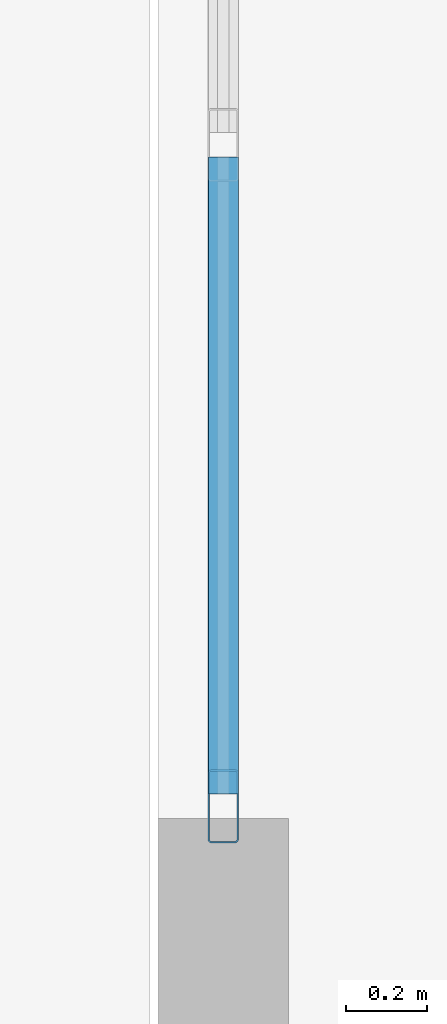
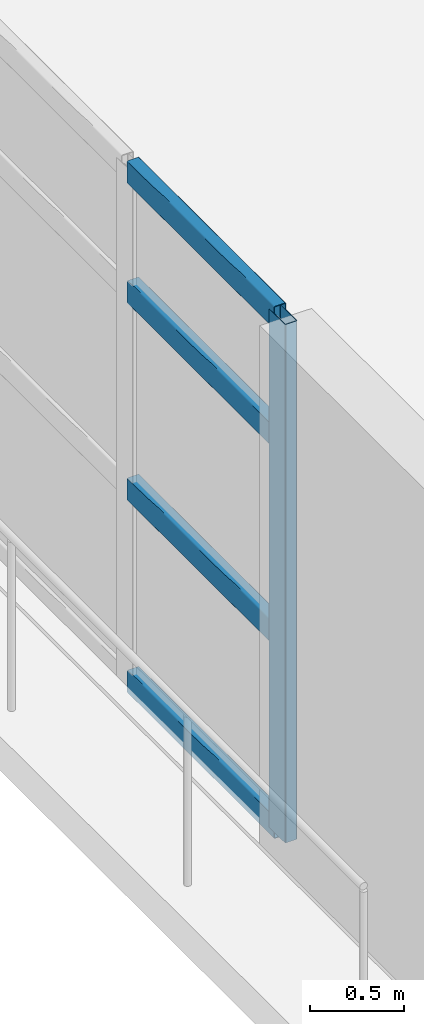
# One storey, part 3 of 24: 5 members, 1 element without a shape of its own.
"""IFC4 building model written with IfcOpenShell, lengths in metres."""

from ifc_helpers import new_model, si_unit, direction, frame, origin, origin_2d, place, context, subcontext, project, spatial, hollow_rectangle, extrude, material, layer, layer_set, material_profile, profile_set, type_object, element, aggregate, save


model = new_model("IFC4")

# Units and contexts
model_context = context("Model", 3, precision=1e-05, world=origin(), true_north=direction((0.0, 1.0)))
body_context = subcontext(model_context, "Body", "Model", "MODEL_VIEW")
ifc_project = project(units=[si_unit("LENGTHUNIT", "METRE"), si_unit("AREAUNIT", "SQUARE_METRE"), si_unit("VOLUMEUNIT", "CUBIC_METRE"), si_unit("PLANEANGLEUNIT", "RADIAN"), si_unit("MASSUNIT", "GRAM", prefix="KILO")], contexts=[model_context])

# Site, building, storey
site_placement = place(None, origin())
site = spatial("IfcSite", under=ifc_project, at=site_placement, CompositionType="ELEMENT")
building_placement = place(site_placement, origin())
building = spatial("IfcBuilding", under=site, at=building_placement, Name="Qingluan Cross Belvedere", CompositionType="ELEMENT")
storey_placement = place(building_placement, frame((0.0, 0.0, 19.199951171875)))
storey = spatial("IfcBuildingStorey", under=building, at=storey_placement, Name="L05", CompositionType="ELEMENT", Elevation=19.199951171875)

# Curtain wall, members
ifc_material_1 = material(Name="Thermally broken aluminium and Low-E glass", Category="aluminium")
ifc_layer = layer(ifc_material_1, 0.179931640625, Name="UnitisedCW_CascadeGarden")
ifc_layer_set = layer_set([ifc_layer], Name="Thermally broken aluminium and Low-E glass")
curtain_wall_type = type_object("IfcCurtainWallType", Name="UnitisedCW_CascadeGarden", PredefinedType="USERDEFINED", material=ifc_layer_set)
curtain_wall_placement = place(storey_placement, origin())
curtain_wall = element("IfcCurtainWall", 1, at=curtain_wall_placement, inside=storey, type_object=curtain_wall_type, Name="UnitisedCW_CascadeGarden run env:cw:L05:W", ObjectType="UNITISED CURTAIN WALL", PredefinedType="USERDEFINED")
ifc_material_2 = material(Name="Aluminium alloy 6063-T6", Category="aluminium")
ifc_material_profile_1 = material_profile(ifc_material_2, hollow_rectangle(XDim=0.074951171875, YDim=0.179931640625, WallThickness=0.00390625, InnerFilletRadius=0.00390625, OuterFilletRadius=0.008056640625, at=origin_2d()), Name="CWM180x75x4")
ifc_profile_set_1 = profile_set([ifc_material_profile_1], Name="Aluminium alloy 6063-T6")
member_type_1 = type_object("IfcMemberType", Name="CWMullion_180", PredefinedType="MULLION", material=ifc_profile_set_1)
member_1_placement = place(storey_placement, frame((-36.239990234375, -5.77001953125, 0.0), z_axis=(0.0, 0.0, 1.0), x_axis=(-1.0, 0.0, 0.0)))
member_1 = element("IfcMember", 2, at=member_1_placement, type_object=member_type_1, Name="CW-P3 mullion 1", PredefinedType="MULLION", context=body_context, shape_type="SweptSolid", body=[
    extrude(hollow_rectangle(XDim=0.074951171875, YDim=0.179931640625, WallThickness=0.00390625, InnerFilletRadius=0.00390625, OuterFilletRadius=0.008056640625, at=origin_2d()), origin(), (0.0, 0.0, 1.0), 3.380126953125),
])
ifc_material_3 = material(Name="Aluminium alloy 6063-T6", Category="aluminium")
ifc_material_profile_2 = material_profile(ifc_material_3, hollow_rectangle(XDim=0.074951171875, YDim=0.14990234375, WallThickness=0.00390625, InnerFilletRadius=0.00390625, OuterFilletRadius=0.008056640625, at=origin_2d()), Name="CWT150x75x4")
ifc_profile_set_2 = profile_set([ifc_material_profile_2], Name="Aluminium alloy 6063-T6")
member_type_2 = type_object("IfcMemberType", Name="CWTransom_150", PredefinedType="USERDEFINED", material=ifc_profile_set_2)
member_2_placement = place(storey_placement, frame((-36.239990234375, -5.739990234375, 0.030029296875), z_axis=(0.0, 1.0, 0.0), x_axis=(-1.0, 0.0, 0.0)))
member_2 = element("IfcMember", 3, at=member_2_placement, type_object=member_type_2, Name="CW-P3 transom 1.1", ObjectType="TRANSOM", PredefinedType="USERDEFINED", context=body_context, shape_type="SweptSolid", body=[
    extrude(hollow_rectangle(XDim=0.074951171875, YDim=0.14990234375, WallThickness=0.00390625, InnerFilletRadius=0.00390625, OuterFilletRadius=0.008056640625, at=origin_2d()), origin(), (0.0, 0.0, 1.0), 1.567138671875),
])
member_3_placement = place(storey_placement, frame((-36.239990234375, -5.739990234375, 1.283935546875), z_axis=(0.0, 1.0, 0.0), x_axis=(-1.0, 0.0, 0.0)))
member_3 = element("IfcMember", 4, at=member_3_placement, type_object=member_type_2, Name="CW-P3 transom 1.2", ObjectType="TRANSOM", PredefinedType="USERDEFINED", context=body_context, shape_type="SweptSolid", body=[
    extrude(hollow_rectangle(XDim=0.074951171875, YDim=0.14990234375, WallThickness=0.00390625, InnerFilletRadius=0.00390625, OuterFilletRadius=0.008056640625, at=origin_2d()), origin(), (0.0, 0.0, 1.0), 1.567138671875),
])
member_4_placement = place(storey_placement, frame((-36.239990234375, -5.739990234375, 2.569091796875), z_axis=(0.0, 1.0, 0.0), x_axis=(-1.0, 0.0, 0.0)))
member_4 = element("IfcMember", 5, at=member_4_placement, type_object=member_type_2, Name="CW-P3 transom 1.3", ObjectType="TRANSOM", PredefinedType="USERDEFINED", context=body_context, shape_type="SweptSolid", body=[
    extrude(hollow_rectangle(XDim=0.074951171875, YDim=0.14990234375, WallThickness=0.00390625, InnerFilletRadius=0.00390625, OuterFilletRadius=0.008056640625, at=origin_2d()), origin(), (0.0, 0.0, 1.0), 1.567138671875),
])
member_5_placement = place(storey_placement, frame((-36.239990234375, -5.739990234375, 3.35009765625), z_axis=(0.0, 1.0, 0.0), x_axis=(-1.0, 0.0, 0.0)))
member_5 = element("IfcMember", 6, at=member_5_placement, type_object=member_type_2, Name="CW-P3 transom 1.4", ObjectType="TRANSOM", PredefinedType="USERDEFINED", context=body_context, shape_type="SweptSolid", body=[
    extrude(hollow_rectangle(XDim=0.074951171875, YDim=0.14990234375, WallThickness=0.00390625, InnerFilletRadius=0.00390625, OuterFilletRadius=0.008056640625, at=origin_2d()), origin(), (0.0, 0.0, 1.0), 1.567138671875),
])
aggregate(curtain_wall, [member_1, member_2, member_3, member_4, member_5])

save(model, "model.ifc")
